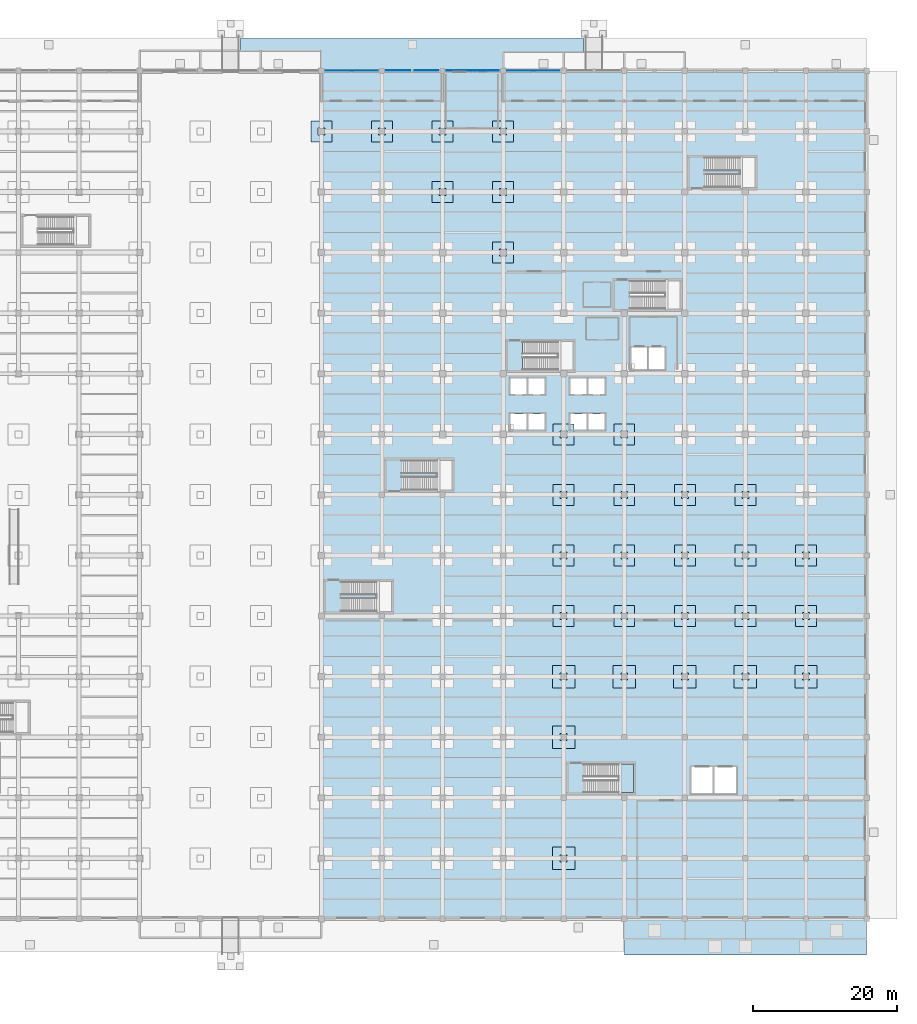
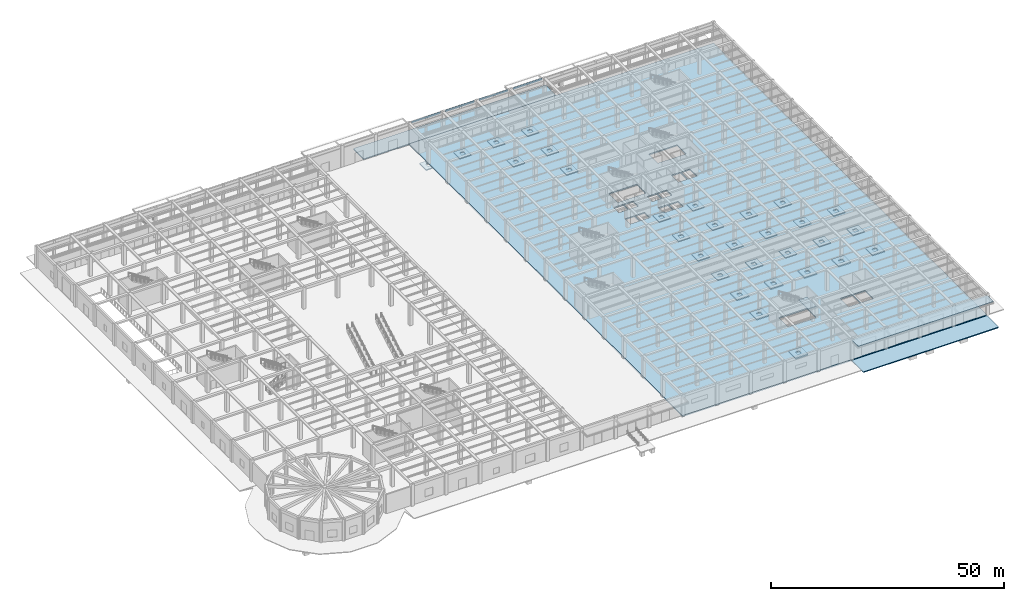
# One storey, part 20 of 43: 35 slabs, 4 plates, 2 elements without a shape of their own.
"""IFC4 building model written with IfcOpenShell, lengths in metres."""

from ifc_helpers import new_model, si_unit, direction, frame, origin, origin_2d, place, context, subcontext, project, spatial, polyline, rectangle, outline, extrude, material, layer, layer_set, type_object, element, aggregate, save


model = new_model("IFC4")

# Units and contexts
model_context = context("Model", 3, precision=1e-05, world=origin(), true_north=direction((0.0, 1.0)))
body_context = subcontext(model_context, "Body", "Model", "MODEL_VIEW")
ifc_project = project(units=[si_unit("LENGTHUNIT", "METRE"), si_unit("AREAUNIT", "SQUARE_METRE"), si_unit("VOLUMEUNIT", "CUBIC_METRE"), si_unit("PLANEANGLEUNIT", "RADIAN"), si_unit("MASSUNIT", "GRAM", prefix="KILO")], contexts=[model_context])

# Site, building, storey
site_placement = place(None, origin())
site = spatial("IfcSite", under=ifc_project, at=site_placement, CompositionType="ELEMENT")
building_placement = place(site_placement, origin())
building = spatial("IfcBuilding", under=site, at=building_placement, Name="Almacenes y Pasaje Nevantli", CompositionType="ELEMENT")
storey_placement = place(building_placement, origin())
storey = spatial("IfcBuildingStorey", under=building, at=storey_placement, Name="L01", CompositionType="ELEMENT", Elevation=0.0)

# Plates
ifc_material_1 = material(Name="Powder-Coated Aluminium Portal Fascia Plate", Category="aluminium")
ifc_layer_1 = layer(ifc_material_1, 0.01611328125)
ifc_layer_set_1 = layer_set([ifc_layer_1], Name="Powder-Coated Aluminium Portal Fascia Plate")
plate_type_1 = type_object("IfcPlateType", Name="PL-FAS-16", PredefinedType="SHEET", material=ifc_layer_set_1)
plate_1_placement = place(storey_placement, frame((113.39990234375, 117.639892578125, 5.1748046875), z_axis=(0.0, 0.0, 1.0), x_axis=(1.0, 0.0, 0.0)))
element("IfcPlate", 1, at=plate_1_placement, inside=storey, type_object=plate_type_1, Name="Boulevard Portales Architectural Frieze Plate #14", PredefinedType="SHEET", context=body_context, shape_type="SweptSolid", body=[
    extrude(rectangle(XDim=7.199951171875, YDim=0.01611328125, at=origin_2d()), origin(), (0.0, 0.0, 1.0), 0.550048828125),
])
ifc_material_2 = material(Name="Brushed Brass Architectural Frieze Plate", Category="metal")
ifc_layer_2 = layer(ifc_material_2, 0.008056640625)
ifc_layer_set_2 = layer_set([ifc_layer_2], Name="Brushed Brass Architectural Frieze Plate")
plate_type_2 = type_object("IfcPlateType", Name="PL-SGN-08", PredefinedType="SHEET", material=ifc_layer_set_2)
for number, where, z_axis, x_axis, name in (
    (2, (96.60009765625, 117.639892578125, 5.1748046875), (0.0, 0.0, 1.0), (1.0, 0.0, 0.0), "Boulevard Portales Architectural Frieze Plate #12"),
    (3, (121.800048828125, 117.639892578125, 5.1748046875), (0.0, 0.0, 1.0), (1.0, 0.0, 0.0), "Boulevard Portales Architectural Frieze Plate #15"),
):
    element("IfcPlate", number, at=place(storey_placement, frame(where, z_axis=z_axis, x_axis=x_axis)), inside=storey, type_object=plate_type_2, Name=name, PredefinedType="SHEET", context=body_context, shape_type="SweptSolid", body=[
        extrude(rectangle(XDim=7.199951171875, YDim=0.008056640625, at=origin_2d()), origin(), (0.0, 0.0, 1.0), 0.550048828125),
    ])
ifc_material_3 = material(Name="Insulated Bronze Aluminium Spandrel Panel", Category="aluminium")
ifc_layer_3 = layer(ifc_material_3, 0.054931640625)
ifc_layer_set_3 = layer_set([ifc_layer_3], Name="Insulated Bronze Aluminium Spandrel Panel")
plate_type_3 = type_object("IfcPlateType", Name="PL-SPN-55", PredefinedType="SHEET", material=ifc_layer_set_3)
plate_2_placement = place(storey_placement, frame((105.0, 117.639892578125, 5.1748046875), z_axis=(0.0, 0.0, 1.0), x_axis=(1.0, 0.0, 0.0)))
element("IfcPlate", 4, at=plate_2_placement, inside=storey, type_object=plate_type_3, Name="Boulevard Portales Architectural Frieze Plate #13", PredefinedType="SHEET", context=body_context, shape_type="SweptSolid", body=[
    extrude(rectangle(XDim=7.199951171875, YDim=0.054931640625, at=origin_2d()), origin(), (0.0, 0.0, 1.0), 0.550048828125),
])

# Roof, slab
ifc_material_4 = material(Name="Concrete C35/45", Category="concrete")
roof_type = type_object("IfcRoofType", Name="ROOF-FLAT-DECK", PredefinedType="FLAT_ROOF", material=ifc_material_4)
roof_placement = place(storey_placement, origin())
roof = element("IfcRoof", 5, at=roof_placement, inside=storey, type_object=roof_type, Name="L01 Boulevard and Dock Canopy Roof cnp-south-dock", PredefinedType="FLAT_ROOF")
ifc_material_5 = material(Name="Architectural Precast Concrete C35/45", Category="concrete")
ifc_layer_4 = layer(ifc_material_5, 0.139892578125)
ifc_layer_set_4 = layer_set([ifc_layer_4], Name="Architectural Precast Concrete C35/45")
slab_type_1 = type_object("IfcSlabType", Name="SLB-CANOPY-140", PredefinedType="ROOF", material=ifc_layer_set_4)
slab_1_placement = place(storey_placement, frame((0.0, 0.0, 5.06005859375)))
slab_1 = element("IfcSlab", 6, at=slab_1_placement, type_object=slab_type_1, Name="Architectural Precast Canopy Deck cnp-south-dock", PredefinedType="ROOF", context=body_context, shape_type="SweptSolid", body=[
    extrude(outline(polyline([(134.39990234375, -2.800048828125), (168.0, -2.800048828125), (168.0, 0.0), (134.39990234375, 0.0), (134.39990234375, -2.800048828125)])), origin(), (0.0, 0.0, 1.0), 0.139892578125),
])
aggregate(roof, [slab_1])

# Slabs
ifc_material_6 = material(Name="Concrete C35/45", Category="concrete")
ifc_layer_5 = layer(ifc_material_6, 0.25)
ifc_layer_set_5 = layer_set([ifc_layer_5], Name="Concrete C35/45")
slab_type_2 = type_object("IfcSlabType", Name="SLB-DP-250", PredefinedType="USERDEFINED", material=ifc_layer_set_5)
slab_2_placement = place(storey_placement, frame((0.0, 0.0, -0.570068359375)))
element("IfcSlab", 7, at=slab_2_placement, inside=storey, type_object=slab_type_2, Name="L01 Punching-Shear Drop Panel DP-02 #316", ObjectType="DROP PANEL", PredefinedType="USERDEFINED", context=body_context, shape_type="SweptSolid", body=[
    extrude(outline(polyline([(90.949951171875, 107.75), (93.85009765625, 107.75), (93.85009765625, 110.64990234375), (90.949951171875, 110.64990234375), (90.949951171875, 107.75)]), holes=[polyline([(91.919921875, 108.719970703125), (92.8798828125, 108.719970703125), (92.8798828125, 109.679931640625), (91.919921875, 109.679931640625), (91.919921875, 108.719970703125)])]), origin(), (0.0, 0.0, 1.0), 0.25),
])
slab_3_placement = place(storey_placement, frame((0.0, 0.0, -0.570068359375)))
element("IfcSlab", 8, at=slab_3_placement, inside=storey, type_object=slab_type_2, Name="L01 Punching-Shear Drop Panel DP-02 #327", ObjectType="DROP PANEL", PredefinedType="USERDEFINED", context=body_context, shape_type="SweptSolid", body=[
    extrude(outline(polyline([(99.35009765625, 107.75), (102.25, 107.75), (102.25, 110.64990234375), (99.35009765625, 110.64990234375), (99.35009765625, 107.75)]), holes=[polyline([(100.320068359375, 108.719970703125), (101.280029296875, 108.719970703125), (101.280029296875, 109.679931640625), (100.320068359375, 109.679931640625), (100.320068359375, 108.719970703125)])]), origin(), (0.0, 0.0, 1.0), 0.25),
])
slab_4_placement = place(storey_placement, frame((0.0, 0.0, -0.570068359375)))
element("IfcSlab", 9, at=slab_4_placement, inside=storey, type_object=slab_type_2, Name="L01 Punching-Shear Drop Panel DP-02 #338", ObjectType="DROP PANEL", PredefinedType="USERDEFINED", context=body_context, shape_type="SweptSolid", body=[
    extrude(outline(polyline([(107.75, 99.35009765625), (110.64990234375, 99.35009765625), (110.64990234375, 102.25), (107.75, 102.25), (107.75, 99.35009765625)]), holes=[polyline([(108.719970703125, 100.320068359375), (109.679931640625, 100.320068359375), (109.679931640625, 101.280029296875), (108.719970703125, 101.280029296875), (108.719970703125, 100.320068359375)])]), origin(), (0.0, 0.0, 1.0), 0.25),
])
slab_5_placement = place(storey_placement, frame((0.0, 0.0, -0.570068359375)))
element("IfcSlab", 10, at=slab_5_placement, inside=storey, type_object=slab_type_2, Name="L01 Punching-Shear Drop Panel DP-02 #339", ObjectType="DROP PANEL", PredefinedType="USERDEFINED", context=body_context, shape_type="SweptSolid", body=[
    extrude(outline(polyline([(107.75, 107.75), (110.64990234375, 107.75), (110.64990234375, 110.64990234375), (107.75, 110.64990234375), (107.75, 107.75)]), holes=[polyline([(108.719970703125, 108.719970703125), (109.679931640625, 108.719970703125), (109.679931640625, 109.679931640625), (108.719970703125, 109.679931640625), (108.719970703125, 108.719970703125)])]), origin(), (0.0, 0.0, 1.0), 0.25),
])
slab_6_placement = place(storey_placement, frame((0.0, 0.0, -0.570068359375)))
element("IfcSlab", 11, at=slab_6_placement, inside=storey, type_object=slab_type_2, Name="L01 Punching-Shear Drop Panel DP-02 #349", ObjectType="DROP PANEL", PredefinedType="USERDEFINED", context=body_context, shape_type="SweptSolid", body=[
    extrude(outline(polyline([(116.14990234375, 90.949951171875), (119.050048828125, 90.949951171875), (119.050048828125, 93.85009765625), (116.14990234375, 93.85009765625), (116.14990234375, 90.949951171875)]), holes=[polyline([(117.1201171875, 91.919921875), (118.080078125, 91.919921875), (118.080078125, 92.8798828125), (117.1201171875, 92.8798828125), (117.1201171875, 91.919921875)])]), origin(), (0.0, 0.0, 1.0), 0.25),
])
slab_7_placement = place(storey_placement, frame((0.0, 0.0, -0.570068359375)))
element("IfcSlab", 12, at=slab_7_placement, inside=storey, type_object=slab_type_2, Name="L01 Punching-Shear Drop Panel DP-02 #350", ObjectType="DROP PANEL", PredefinedType="USERDEFINED", context=body_context, shape_type="SweptSolid", body=[
    extrude(outline(polyline([(116.14990234375, 99.35009765625), (119.050048828125, 99.35009765625), (119.050048828125, 102.25), (116.14990234375, 102.25), (116.14990234375, 99.35009765625)]), holes=[polyline([(117.1201171875, 100.320068359375), (118.080078125, 100.320068359375), (118.080078125, 101.280029296875), (117.1201171875, 101.280029296875), (117.1201171875, 100.320068359375)])]), origin(), (0.0, 0.0, 1.0), 0.25),
])
slab_8_placement = place(storey_placement, frame((0.0, 0.0, -0.570068359375)))
element("IfcSlab", 13, at=slab_8_placement, inside=storey, type_object=slab_type_2, Name="L01 Punching-Shear Drop Panel DP-02 #351", ObjectType="DROP PANEL", PredefinedType="USERDEFINED", context=body_context, shape_type="SweptSolid", body=[
    extrude(outline(polyline([(116.14990234375, 107.75), (119.050048828125, 107.75), (119.050048828125, 110.64990234375), (116.14990234375, 110.64990234375), (116.14990234375, 107.75)]), holes=[polyline([(117.1201171875, 108.719970703125), (118.080078125, 108.719970703125), (118.080078125, 109.679931640625), (117.1201171875, 109.679931640625), (117.1201171875, 108.719970703125)])]), origin(), (0.0, 0.0, 1.0), 0.25),
])
slab_9_placement = place(storey_placement, frame((0.0, 0.0, -0.570068359375)))
element("IfcSlab", 14, at=slab_9_placement, inside=storey, type_object=slab_type_2, Name="L01 Punching-Shear Drop Panel DP-02 #355", ObjectType="DROP PANEL", PredefinedType="USERDEFINED", context=body_context, shape_type="SweptSolid", body=[
    extrude(outline(polyline([(124.550048828125, 40.550048828125), (127.449951171875, 40.550048828125), (127.449951171875, 43.449951171875), (124.550048828125, 43.449951171875), (124.550048828125, 40.550048828125)]), holes=[polyline([(125.52001953125, 41.52001953125), (126.47998046875, 41.52001953125), (126.47998046875, 42.47998046875), (125.52001953125, 42.47998046875), (125.52001953125, 41.52001953125)])]), origin(), (0.0, 0.0, 1.0), 0.25),
])
slab_10_placement = place(storey_placement, frame((0.0, 0.0, -0.570068359375)))
element("IfcSlab", 15, at=slab_10_placement, inside=storey, type_object=slab_type_2, Name="L01 Punching-Shear Drop Panel DP-02 #356", ObjectType="DROP PANEL", PredefinedType="USERDEFINED", context=body_context, shape_type="SweptSolid", body=[
    extrude(outline(polyline([(124.550048828125, 48.949951171875), (127.449951171875, 48.949951171875), (127.449951171875, 51.85009765625), (124.550048828125, 51.85009765625), (124.550048828125, 48.949951171875)]), holes=[polyline([(125.52001953125, 49.919921875), (126.47998046875, 49.919921875), (126.47998046875, 50.8798828125), (125.52001953125, 50.8798828125), (125.52001953125, 49.919921875)])]), origin(), (0.0, 0.0, 1.0), 0.25),
])
slab_11_placement = place(storey_placement, frame((0.0, 0.0, -0.570068359375)))
element("IfcSlab", 16, at=slab_11_placement, inside=storey, type_object=slab_type_2, Name="L01 Punching-Shear Drop Panel DP-02 #357", ObjectType="DROP PANEL", PredefinedType="USERDEFINED", context=body_context, shape_type="SweptSolid", body=[
    extrude(outline(polyline([(124.550048828125, 57.35009765625), (127.449951171875, 57.35009765625), (127.449951171875, 60.25), (124.550048828125, 60.25), (124.550048828125, 57.35009765625)]), holes=[polyline([(125.52001953125, 58.320068359375), (126.47998046875, 58.320068359375), (126.47998046875, 59.280029296875), (125.52001953125, 59.280029296875), (125.52001953125, 58.320068359375)])]), origin(), (0.0, 0.0, 1.0), 0.25),
])
slab_12_placement = place(storey_placement, frame((0.0, 0.0, -0.570068359375)))
element("IfcSlab", 17, at=slab_12_placement, inside=storey, type_object=slab_type_2, Name="L01 Punching-Shear Drop Panel DP-02 #358", ObjectType="DROP PANEL", PredefinedType="USERDEFINED", context=body_context, shape_type="SweptSolid", body=[
    extrude(outline(polyline([(124.550048828125, 65.75), (127.449951171875, 65.75), (127.449951171875, 68.64990234375), (124.550048828125, 68.64990234375), (124.550048828125, 65.75)]), holes=[polyline([(125.52001953125, 66.719970703125), (126.47998046875, 66.719970703125), (126.47998046875, 67.679931640625), (125.52001953125, 67.679931640625), (125.52001953125, 66.719970703125)])]), origin(), (0.0, 0.0, 1.0), 0.25),
])
slab_13_placement = place(storey_placement, frame((0.0, 0.0, -0.570068359375)))
element("IfcSlab", 18, at=slab_13_placement, inside=storey, type_object=slab_type_2, Name="L01 Punching-Shear Drop Panel DP-02 #364", ObjectType="DROP PANEL", PredefinedType="USERDEFINED", context=body_context, shape_type="SweptSolid", body=[
    extrude(outline(polyline([(132.949951171875, 40.550048828125), (135.85009765625, 40.550048828125), (135.85009765625, 43.449951171875), (132.949951171875, 43.449951171875), (132.949951171875, 40.550048828125)]), holes=[polyline([(133.919921875, 41.52001953125), (134.8798828125, 41.52001953125), (134.8798828125, 42.47998046875), (133.919921875, 42.47998046875), (133.919921875, 41.52001953125)])]), origin(), (0.0, 0.0, 1.0), 0.25),
])
slab_14_placement = place(storey_placement, frame((0.0, 0.0, -0.570068359375)))
element("IfcSlab", 19, at=slab_14_placement, inside=storey, type_object=slab_type_2, Name="L01 Punching-Shear Drop Panel DP-02 #365", ObjectType="DROP PANEL", PredefinedType="USERDEFINED", context=body_context, shape_type="SweptSolid", body=[
    extrude(outline(polyline([(132.949951171875, 48.949951171875), (135.85009765625, 48.949951171875), (135.85009765625, 51.85009765625), (132.949951171875, 51.85009765625), (132.949951171875, 48.949951171875)]), holes=[polyline([(133.919921875, 49.919921875), (134.8798828125, 49.919921875), (134.8798828125, 50.8798828125), (133.919921875, 50.8798828125), (133.919921875, 49.919921875)])]), origin(), (0.0, 0.0, 1.0), 0.25),
])
slab_15_placement = place(storey_placement, frame((0.0, 0.0, -0.570068359375)))
element("IfcSlab", 20, at=slab_15_placement, inside=storey, type_object=slab_type_2, Name="L01 Punching-Shear Drop Panel DP-02 #366", ObjectType="DROP PANEL", PredefinedType="USERDEFINED", context=body_context, shape_type="SweptSolid", body=[
    extrude(outline(polyline([(132.949951171875, 57.35009765625), (135.85009765625, 57.35009765625), (135.85009765625, 60.25), (132.949951171875, 60.25), (132.949951171875, 57.35009765625)]), holes=[polyline([(133.919921875, 58.320068359375), (134.8798828125, 58.320068359375), (134.8798828125, 59.280029296875), (133.919921875, 59.280029296875), (133.919921875, 58.320068359375)])]), origin(), (0.0, 0.0, 1.0), 0.25),
])
slab_16_placement = place(storey_placement, frame((0.0, 0.0, -0.570068359375)))
element("IfcSlab", 21, at=slab_16_placement, inside=storey, type_object=slab_type_2, Name="L01 Punching-Shear Drop Panel DP-02 #367", ObjectType="DROP PANEL", PredefinedType="USERDEFINED", context=body_context, shape_type="SweptSolid", body=[
    extrude(outline(polyline([(132.949951171875, 65.75), (135.85009765625, 65.75), (135.85009765625, 68.64990234375), (132.949951171875, 68.64990234375), (132.949951171875, 65.75)]), holes=[polyline([(133.919921875, 66.719970703125), (134.8798828125, 66.719970703125), (134.8798828125, 67.679931640625), (133.919921875, 67.679931640625), (133.919921875, 66.719970703125)])]), origin(), (0.0, 0.0, 1.0), 0.25),
])
slab_17_placement = place(storey_placement, frame((0.0, 0.0, -0.570068359375)))
element("IfcSlab", 22, at=slab_17_placement, inside=storey, type_object=slab_type_2, Name="L01 Punching-Shear Drop Panel DP-02 #373", ObjectType="DROP PANEL", PredefinedType="USERDEFINED", context=body_context, shape_type="SweptSolid", body=[
    extrude(outline(polyline([(141.35009765625, 40.550048828125), (144.25, 40.550048828125), (144.25, 43.449951171875), (141.35009765625, 43.449951171875), (141.35009765625, 40.550048828125)]), holes=[polyline([(142.320068359375, 41.52001953125), (143.280029296875, 41.52001953125), (143.280029296875, 42.47998046875), (142.320068359375, 42.47998046875), (142.320068359375, 41.52001953125)])]), origin(), (0.0, 0.0, 1.0), 0.25),
])
slab_18_placement = place(storey_placement, frame((0.0, 0.0, -0.570068359375)))
element("IfcSlab", 23, at=slab_18_placement, inside=storey, type_object=slab_type_2, Name="L01 Punching-Shear Drop Panel DP-02 #374", ObjectType="DROP PANEL", PredefinedType="USERDEFINED", context=body_context, shape_type="SweptSolid", body=[
    extrude(outline(polyline([(141.35009765625, 48.949951171875), (144.25, 48.949951171875), (144.25, 51.85009765625), (141.35009765625, 51.85009765625), (141.35009765625, 48.949951171875)]), holes=[polyline([(142.320068359375, 49.919921875), (143.280029296875, 49.919921875), (143.280029296875, 50.8798828125), (142.320068359375, 50.8798828125), (142.320068359375, 49.919921875)])]), origin(), (0.0, 0.0, 1.0), 0.25),
])
slab_19_placement = place(storey_placement, frame((0.0, 0.0, -0.570068359375)))
element("IfcSlab", 24, at=slab_19_placement, inside=storey, type_object=slab_type_2, Name="L01 Punching-Shear Drop Panel DP-02 #375", ObjectType="DROP PANEL", PredefinedType="USERDEFINED", context=body_context, shape_type="SweptSolid", body=[
    extrude(outline(polyline([(141.35009765625, 57.35009765625), (144.25, 57.35009765625), (144.25, 60.25), (141.35009765625, 60.25), (141.35009765625, 57.35009765625)]), holes=[polyline([(142.320068359375, 58.320068359375), (143.280029296875, 58.320068359375), (143.280029296875, 59.280029296875), (142.320068359375, 59.280029296875), (142.320068359375, 58.320068359375)])]), origin(), (0.0, 0.0, 1.0), 0.25),
])
slab_20_placement = place(storey_placement, frame((0.0, 0.0, -0.570068359375)))
element("IfcSlab", 25, at=slab_20_placement, inside=storey, type_object=slab_type_2, Name="L01 Punching-Shear Drop Panel DP-02 #381", ObjectType="DROP PANEL", PredefinedType="USERDEFINED", context=body_context, shape_type="SweptSolid", body=[
    extrude(outline(polyline([(149.75, 40.550048828125), (152.64990234375, 40.550048828125), (152.64990234375, 43.449951171875), (149.75, 43.449951171875), (149.75, 40.550048828125)]), holes=[polyline([(150.719970703125, 41.52001953125), (151.679931640625, 41.52001953125), (151.679931640625, 42.47998046875), (150.719970703125, 42.47998046875), (150.719970703125, 41.52001953125)])]), origin(), (0.0, 0.0, 1.0), 0.25),
])
slab_21_placement = place(storey_placement, frame((0.0, 0.0, -0.570068359375)))
element("IfcSlab", 26, at=slab_21_placement, inside=storey, type_object=slab_type_2, Name="L01 Punching-Shear Drop Panel DP-02 #382", ObjectType="DROP PANEL", PredefinedType="USERDEFINED", context=body_context, shape_type="SweptSolid", body=[
    extrude(outline(polyline([(149.75, 48.949951171875), (152.64990234375, 48.949951171875), (152.64990234375, 51.85009765625), (149.75, 51.85009765625), (149.75, 48.949951171875)]), holes=[polyline([(150.719970703125, 49.919921875), (151.679931640625, 49.919921875), (151.679931640625, 50.8798828125), (150.719970703125, 50.8798828125), (150.719970703125, 49.919921875)])]), origin(), (0.0, 0.0, 1.0), 0.25),
])
slab_22_placement = place(storey_placement, frame((0.0, 0.0, -0.570068359375)))
element("IfcSlab", 27, at=slab_22_placement, inside=storey, type_object=slab_type_2, Name="L01 Punching-Shear Drop Panel DP-02 #383", ObjectType="DROP PANEL", PredefinedType="USERDEFINED", context=body_context, shape_type="SweptSolid", body=[
    extrude(outline(polyline([(149.75, 57.35009765625), (152.64990234375, 57.35009765625), (152.64990234375, 60.25), (149.75, 60.25), (149.75, 57.35009765625)]), holes=[polyline([(150.719970703125, 58.320068359375), (151.679931640625, 58.320068359375), (151.679931640625, 59.280029296875), (150.719970703125, 59.280029296875), (150.719970703125, 58.320068359375)])]), origin(), (0.0, 0.0, 1.0), 0.25),
])
slab_23_placement = place(storey_placement, frame((0.0, 0.0, -0.570068359375)))
element("IfcSlab", 28, at=slab_23_placement, inside=storey, type_object=slab_type_2, Name="L01 Punching-Shear Drop Panel DP-02 #390", ObjectType="DROP PANEL", PredefinedType="USERDEFINED", context=body_context, shape_type="SweptSolid", body=[
    extrude(outline(polyline([(158.14990234375, 40.550048828125), (161.050048828125, 40.550048828125), (161.050048828125, 43.449951171875), (158.14990234375, 43.449951171875), (158.14990234375, 40.550048828125)]), holes=[polyline([(159.1201171875, 41.52001953125), (160.080078125, 41.52001953125), (160.080078125, 42.47998046875), (159.1201171875, 42.47998046875), (159.1201171875, 41.52001953125)])]), origin(), (0.0, 0.0, 1.0), 0.25),
])
slab_24_placement = place(storey_placement, frame((0.0, 0.0, -0.570068359375)))
element("IfcSlab", 29, at=slab_24_placement, inside=storey, type_object=slab_type_2, Name="L01 Punching-Shear Drop Panel DP-02 #391", ObjectType="DROP PANEL", PredefinedType="USERDEFINED", context=body_context, shape_type="SweptSolid", body=[
    extrude(outline(polyline([(158.14990234375, 48.949951171875), (161.050048828125, 48.949951171875), (161.050048828125, 51.85009765625), (158.14990234375, 51.85009765625), (158.14990234375, 48.949951171875)]), holes=[polyline([(159.1201171875, 49.919921875), (160.080078125, 49.919921875), (160.080078125, 50.8798828125), (159.1201171875, 50.8798828125), (159.1201171875, 49.919921875)])]), origin(), (0.0, 0.0, 1.0), 0.25),
])
ifc_material_7 = material(Name="Concrete C35/45", Category="concrete")
ifc_layer_6 = layer(ifc_material_7, 0.31005859375)
ifc_layer_set_6 = layer_set([ifc_layer_6], Name="Concrete C35/45")
slab_type_3 = type_object("IfcSlabType", Name="SLB-DP-310", PredefinedType="USERDEFINED", material=ifc_layer_set_6)
slab_25_placement = place(storey_placement, frame((0.0, 0.0, -0.6298828125)))
element("IfcSlab", 30, at=slab_25_placement, inside=storey, type_object=slab_type_3, Name="L01 Punching-Shear Drop Panel DP-03 #352", ObjectType="DROP PANEL", PredefinedType="USERDEFINED", context=body_context, shape_type="SweptSolid", body=[
    extrude(outline(polyline([(124.449951171875, 6.85009765625), (127.550048828125, 6.85009765625), (127.550048828125, 9.949951171875), (124.449951171875, 9.949951171875), (124.449951171875, 6.85009765625)]), holes=[polyline([(125.52001953125, 7.919921875), (126.47998046875, 7.919921875), (126.47998046875, 8.8798828125), (125.52001953125, 8.8798828125), (125.52001953125, 7.919921875)])]), origin(), (0.0, 0.0, 1.0), 0.309814453125),
])
slab_26_placement = place(storey_placement, frame((0.0, 0.0, -0.6298828125)))
element("IfcSlab", 31, at=slab_26_placement, inside=storey, type_object=slab_type_3, Name="L01 Punching-Shear Drop Panel DP-03 #353", ObjectType="DROP PANEL", PredefinedType="USERDEFINED", context=body_context, shape_type="SweptSolid", body=[
    extrude(outline(polyline([(124.449951171875, 23.64990234375), (127.550048828125, 23.64990234375), (127.550048828125, 26.75), (124.449951171875, 26.75), (124.449951171875, 23.64990234375)]), holes=[polyline([(125.52001953125, 24.719970703125), (126.47998046875, 24.719970703125), (126.47998046875, 25.679931640625), (125.52001953125, 25.679931640625), (125.52001953125, 24.719970703125)])]), origin(), (0.0, 0.0, 1.0), 0.309814453125),
])
slab_27_placement = place(storey_placement, frame((0.0, 0.0, -0.6298828125)))
element("IfcSlab", 32, at=slab_27_placement, inside=storey, type_object=slab_type_3, Name="L01 Punching-Shear Drop Panel DP-03 #354", ObjectType="DROP PANEL", PredefinedType="USERDEFINED", context=body_context, shape_type="SweptSolid", body=[
    extrude(outline(polyline([(124.449951171875, 32.050048828125), (127.550048828125, 32.050048828125), (127.550048828125, 35.14990234375), (124.449951171875, 35.14990234375), (124.449951171875, 32.050048828125)]), holes=[polyline([(125.52001953125, 33.1201171875), (126.47998046875, 33.1201171875), (126.47998046875, 34.080078125), (125.52001953125, 34.080078125), (125.52001953125, 33.1201171875)])]), origin(), (0.0, 0.0, 1.0), 0.309814453125),
])
slab_28_placement = place(storey_placement, frame((0.0, 0.0, -0.6298828125)))
element("IfcSlab", 33, at=slab_28_placement, inside=storey, type_object=slab_type_3, Name="L01 Punching-Shear Drop Panel DP-03 #363", ObjectType="DROP PANEL", PredefinedType="USERDEFINED", context=body_context, shape_type="SweptSolid", body=[
    extrude(outline(polyline([(132.85009765625, 32.050048828125), (135.949951171875, 32.050048828125), (135.949951171875, 35.14990234375), (132.85009765625, 35.14990234375), (132.85009765625, 32.050048828125)]), holes=[polyline([(133.919921875, 33.1201171875), (134.8798828125, 33.1201171875), (134.8798828125, 34.080078125), (133.919921875, 34.080078125), (133.919921875, 33.1201171875)])]), origin(), (0.0, 0.0, 1.0), 0.309814453125),
])
slab_29_placement = place(storey_placement, frame((0.0, 0.0, -0.6298828125)))
element("IfcSlab", 34, at=slab_29_placement, inside=storey, type_object=slab_type_3, Name="L01 Punching-Shear Drop Panel DP-03 #372", ObjectType="DROP PANEL", PredefinedType="USERDEFINED", context=body_context, shape_type="SweptSolid", body=[
    extrude(outline(polyline([(141.25, 32.050048828125), (144.35009765625, 32.050048828125), (144.35009765625, 35.14990234375), (141.25, 35.14990234375), (141.25, 32.050048828125)]), holes=[polyline([(142.320068359375, 33.1201171875), (143.280029296875, 33.1201171875), (143.280029296875, 34.080078125), (142.320068359375, 34.080078125), (142.320068359375, 33.1201171875)])]), origin(), (0.0, 0.0, 1.0), 0.309814453125),
])
slab_30_placement = place(storey_placement, frame((0.0, 0.0, -0.6298828125)))
element("IfcSlab", 35, at=slab_30_placement, inside=storey, type_object=slab_type_3, Name="L01 Punching-Shear Drop Panel DP-03 #380", ObjectType="DROP PANEL", PredefinedType="USERDEFINED", context=body_context, shape_type="SweptSolid", body=[
    extrude(outline(polyline([(149.64990234375, 32.050048828125), (152.75, 32.050048828125), (152.75, 35.14990234375), (149.64990234375, 35.14990234375), (149.64990234375, 32.050048828125)]), holes=[polyline([(150.719970703125, 33.1201171875), (151.679931640625, 33.1201171875), (151.679931640625, 34.080078125), (150.719970703125, 34.080078125), (150.719970703125, 33.1201171875)])]), origin(), (0.0, 0.0, 1.0), 0.309814453125),
])
slab_31_placement = place(storey_placement, frame((0.0, 0.0, -0.6298828125)))
element("IfcSlab", 36, at=slab_31_placement, inside=storey, type_object=slab_type_3, Name="L01 Punching-Shear Drop Panel DP-03 #389", ObjectType="DROP PANEL", PredefinedType="USERDEFINED", context=body_context, shape_type="SweptSolid", body=[
    extrude(outline(polyline([(158.050048828125, 32.050048828125), (161.14990234375, 32.050048828125), (161.14990234375, 35.14990234375), (158.050048828125, 35.14990234375), (158.050048828125, 32.050048828125)]), holes=[polyline([(159.1201171875, 33.1201171875), (160.080078125, 33.1201171875), (160.080078125, 34.080078125), (159.1201171875, 34.080078125), (159.1201171875, 33.1201171875)])]), origin(), (0.0, 0.0, 1.0), 0.309814453125),
])
ifc_material_8 = material(Name="Concrete C35/45", Category="concrete")
ifc_layer_7 = layer(ifc_material_8, 0.320068359375)
ifc_layer_set_7 = layer_set([ifc_layer_7], Name="Concrete C35/45")
slab_type_4 = type_object("IfcSlabType", Name="SLB-FLR-320", PredefinedType="FLOOR", material=ifc_layer_set_7)
slab_32_placement = place(storey_placement, frame((0.0, 0.0, -0.320068359375)))
element("IfcSlab", 37, at=slab_32_placement, inside=storey, type_object=slab_type_4, Name="L01 East Podium Retail and Tower Core Slab", PredefinedType="FLOOR", context=body_context, shape_type="SweptSolid", body=[
    extrude(outline(polyline([(92.39990234375, 0.0), (168.0, 0.0), (168.0, 117.60009765625), (92.39990234375, 117.60009765625), (92.39990234375, 0.0)]), holes=[polyline([(120.31494140625, 76.14990234375), (127.300048828125, 76.14990234375), (127.300048828125, 80.0400390625), (120.31494140625, 80.0400390625), (120.31494140625, 76.14990234375)]), polyline([(135.1650390625, 84.60009765625), (142.14990234375, 84.60009765625), (142.14990234375, 88.489990234375), (135.1650390625, 88.489990234375), (135.1650390625, 84.60009765625)]), polyline([(128.715087890625, 17.5), (135.699951171875, 17.5), (135.699951171875, 21.449951171875), (128.715087890625, 21.449951171875), (128.715087890625, 17.5)]), polyline([(126.89990234375, 67.85009765625), (129.199951171875, 67.85009765625), (129.199951171875, 70.050048828125), (126.89990234375, 70.050048828125), (126.89990234375, 67.85009765625)]), polyline([(129.39990234375, 67.85009765625), (131.699951171875, 67.85009765625), (131.699951171875, 70.050048828125), (129.39990234375, 70.050048828125), (129.39990234375, 67.85009765625)]), polyline([(126.89990234375, 72.75), (129.199951171875, 72.75), (129.199951171875, 74.949951171875), (126.89990234375, 74.949951171875), (126.89990234375, 72.75)]), polyline([(129.39990234375, 72.75), (131.699951171875, 72.75), (131.699951171875, 74.949951171875), (129.39990234375, 74.949951171875), (129.39990234375, 72.75)]), polyline([(118.60009765625, 67.85009765625), (120.89990234375, 67.85009765625), (120.89990234375, 70.050048828125), (118.60009765625, 70.050048828125), (118.60009765625, 67.85009765625)]), polyline([(121.10009765625, 67.85009765625), (123.39990234375, 67.85009765625), (123.39990234375, 70.050048828125), (121.10009765625, 70.050048828125), (121.10009765625, 67.85009765625)]), polyline([(118.60009765625, 72.75), (120.89990234375, 72.75), (120.89990234375, 74.949951171875), (118.60009765625, 74.949951171875), (118.60009765625, 72.75)]), polyline([(121.10009765625, 72.75), (123.39990234375, 72.75), (123.39990234375, 74.949951171875), (121.10009765625, 74.949951171875), (121.10009765625, 72.75)]), polyline([(135.39990234375, 76.25), (137.60009765625, 76.25), (137.60009765625, 79.25), (135.39990234375, 79.25), (135.39990234375, 76.25)]), polyline([(137.800048828125, 76.25), (140.0, 76.25), (140.0, 79.25), (137.800048828125, 79.25), (137.800048828125, 76.25)]), polyline([(143.699951171875, 17.449951171875), (146.699951171875, 17.449951171875), (146.699951171875, 21.050048828125), (143.699951171875, 21.050048828125), (143.699951171875, 17.449951171875)]), polyline([(146.89990234375, 17.449951171875), (149.89990234375, 17.449951171875), (149.89990234375, 21.050048828125), (146.89990234375, 21.050048828125), (146.89990234375, 17.449951171875)])]), origin(), (0.0, 0.0, 1.0), 0.320068359375),
])

# Stair, slab
ifc_material_9 = material(Name="Concrete C35/45", Category="concrete")
stair_type = type_object("IfcStairType", Name="STR-CORE-1750", PredefinedType="HALF_TURN_STAIR", material=ifc_material_9)
stair_placement = place(storey_placement, origin())
stair = element("IfcStair", 38, at=stair_placement, inside=storey, type_object=stair_type, Name="L01 Staircase ST-06", PredefinedType="HALF_TURN_STAIR")
ifc_material_10 = material(Name="Concrete C35/45", Category="concrete")
ifc_layer_8 = layer(ifc_material_10, 0.199951171875)
ifc_layer_set_8 = layer_set([ifc_layer_8], Name="Concrete C35/45")
slab_type_5 = type_object("IfcSlabType", Name="SLB-LAND-200", PredefinedType="LANDING", material=ifc_layer_set_8)
slab_33_placement = place(storey_placement, frame((0.0, 0.0, 2.800048828125)))
slab_33 = element("IfcSlab", 39, at=slab_33_placement, type_object=slab_type_5, Name="ST-06-L01 landing 1", PredefinedType="LANDING", context=body_context, shape_type="SweptSolid", body=[
    extrude(outline(polyline([(133.614990234375, 17.5), (135.699951171875, 17.5), (135.699951171875, 21.449951171875), (133.614990234375, 21.449951171875), (133.614990234375, 17.5)])), origin(), (0.0, 0.0, 1.0), 0.199951171875),
])
aggregate(stair, [slab_33])

# Slabs
ifc_material_11 = material(Name="Toluca Basalt Stone Paving on Compacted Subbase", Category="masonry")
ifc_layer_9 = layer(ifc_material_11, 0.239990234375)
ifc_layer_set_9 = layer_set([ifc_layer_9], Name="Toluca Basalt Stone Paving on Compacted Subbase")
slab_type_6 = type_object("IfcSlabType", Name="SLB-PAVING-240", PredefinedType="USERDEFINED", material=ifc_layer_set_9)
slab_34_placement = place(storey_placement, frame((0.0, 0.0, -0.239990234375)))
element("IfcSlab", 40, at=slab_34_placement, inside=storey, type_object=slab_type_6, Name="North Boulevard Sidewalk Paving Zone 3", ObjectType="PAVING", PredefinedType="USERDEFINED", context=body_context, shape_type="SweptSolid", body=[
    extrude(outline(polyline([(81.14990234375, 117.60009765625), (128.85009765625, 117.60009765625), (128.85009765625, 122.10009765625), (81.14990234375, 122.10009765625), (81.14990234375, 117.60009765625)])), origin(), (0.0, 0.0, 1.0), 0.239990234375),
])
ifc_material_12 = material(Name="Concrete C35/45", Category="concrete")
ifc_layer_10 = layer(ifc_material_12, 0.239990234375)
ifc_layer_set_10 = layer_set([ifc_layer_10], Name="Concrete C35/45")
slab_type_7 = type_object("IfcSlabType", Name="SLB-PLINTH-240", PredefinedType="BASESLAB", material=ifc_layer_set_10)
slab_35_placement = place(storey_placement, frame((0.0, 0.0, -0.43994140625)))
element("IfcSlab", 41, at=slab_35_placement, inside=storey, type_object=slab_type_7, Name="Loading Dock Truck Grade Plinth Slab", PredefinedType="BASESLAB", context=body_context, shape_type="SweptSolid", body=[
    extrude(outline(polyline([(134.39990234375, -5.0), (168.0, -5.0), (168.0, 0.0), (134.39990234375, 0.0), (134.39990234375, -5.0)])), origin(), (0.0, 0.0, 1.0), 0.239990234375),
])

save(model, "model.ifc")
